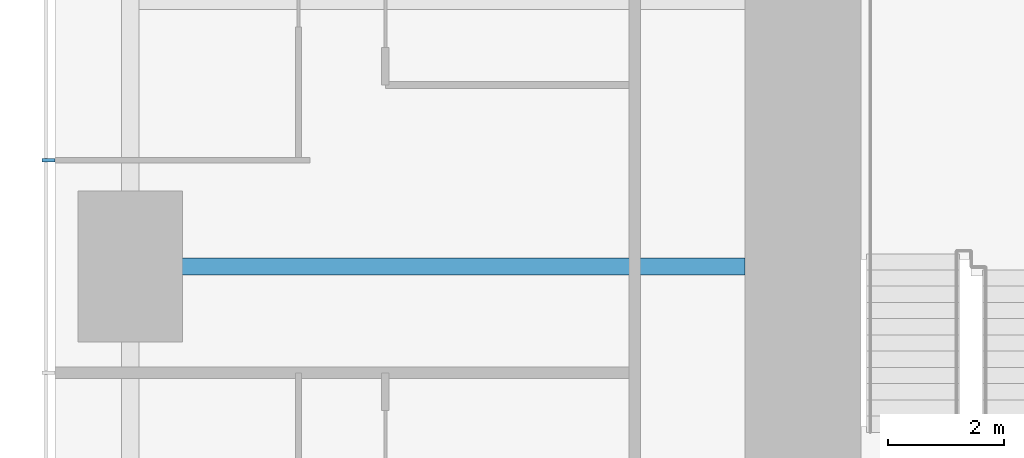
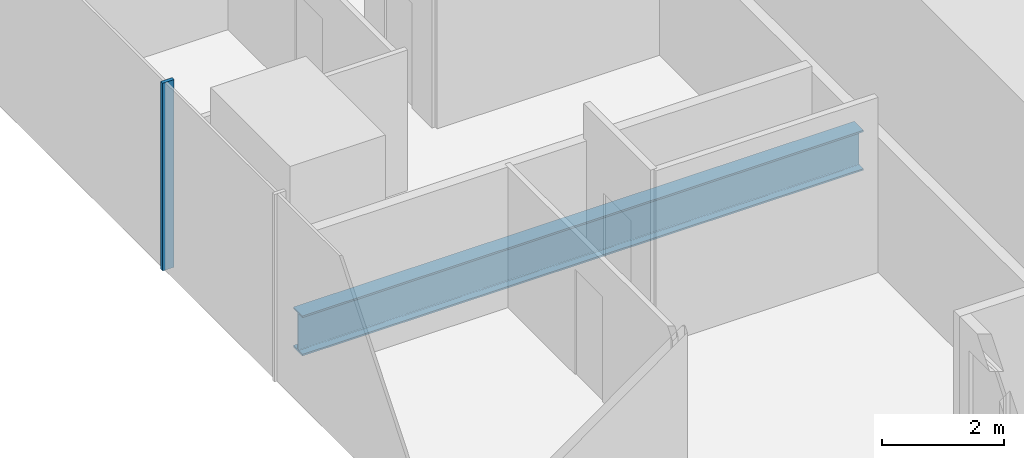
# One storey, part 3 of 13: 1 beam, 1 member, 1 element without a shape of its own.
"""IFC4 building model written with IfcOpenShell, lengths in metres."""

import ifcopenshell
import ifcopenshell.guid

model = None  # the IFC model being written
_history = None  # IfcOwnerHistory: only IFC2X3 demands one
_inside = {}  # id of a spatial element -> (the spatial element, [elements in it])
_under = {}  # id of a project, library or spatial element -> (it, [spatial elements below it])
_declared = {}  # id of a project -> (the project, [libraries it declares])
_typed = {}  # id of a type object -> (the type object, [elements of that type])
_made_of = {}  # id of a material, layer set ... -> (it, [elements and type objects made of it])


def new_model(schema):
    """Start an empty IFC model of exactly this schema.

    Asked for "IFC4X3", IfcOpenShell would pick the latest addendum, in which some entities
    have other attributes; the version numbers below select the first issue.
    IFC2X3 requires an IfcOwnerHistory on every rooted entity: one is made here for all.
    """
    global model, _history
    if schema == "IFC4X3":
        model = ifcopenshell.file(schema_version=(4, 3, 0, 0))
    else:
        model = ifcopenshell.file(schema=schema)
    _inside.clear()
    _under.clear()
    _declared.clear()
    _typed.clear()
    _made_of.clear()
    _history = None
    if model.schema == "IFC2X3":
        org = make("IfcOrganization", Name="unknown")
        user = make(
            "IfcPersonAndOrganization",
            ThePerson=make("IfcPerson", FamilyName="unknown"),
            TheOrganization=org,
        )
        app = make(
            "IfcApplication",
            ApplicationDeveloper=org,
            Version="unknown",
            ApplicationFullName="unknown",
            ApplicationIdentifier="unknown",
        )
        _history = make(
            "IfcOwnerHistory",
            OwningUser=user,
            OwningApplication=app,
            ChangeAction="ADDED",
            CreationDate=0,
        )
    return model


def make(cls, **values):
    """One entity of the class cls with the attributes given. An attribute that is None is left unset."""
    return model.create_entity(
        cls, **{name: value for name, value in values.items() if value is not None}
    )


def rooted(cls, **values):
    """An entity with a GlobalId (a new one), such as an element, a storey or a relation."""
    return make(cls, GlobalId=ifcopenshell.guid.new(), OwnerHistory=_history, **values)


def si_unit(unit_type, name, prefix=None):
    """IfcSIUnit, for example si_unit("LENGTHUNIT", "METRE", prefix="MILLI")."""
    return make("IfcSIUnit", UnitType=unit_type, Prefix=prefix, Name=name)


def assignment(units):
    """IfcUnitAssignment: the units of a project."""
    return None if units is None else make("IfcUnitAssignment", Units=units)


def point(xyz):
    """IfcCartesianPoint."""
    return None if xyz is None else make("IfcCartesianPoint", Coordinates=xyz)


def direction(xyz):
    """IfcDirection."""
    return None if xyz is None else make("IfcDirection", DirectionRatios=xyz)


def frame(location, z_axis=None, x_axis=None):
    """IfcAxis2Placement3D, a coordinate frame: its origin and axes. An axis left out is left unset."""
    return make(
        "IfcAxis2Placement3D",
        Location=point(location),
        Axis=direction(z_axis),
        RefDirection=direction(x_axis),
    )


def frame_2d(location, x_axis=None):
    """IfcAxis2Placement2D, a coordinate frame in the plane: its origin and x axis."""
    return make(
        "IfcAxis2Placement2D", Location=point(location), RefDirection=direction(x_axis)
    )


def origin():
    """The frame at (0, 0, 0) with its axes left unset."""
    return frame((0.0, 0.0, 0.0))


def origin_2d():
    """The frame at (0, 0) in the plane with its x axis left unset."""
    return frame_2d((0.0, 0.0))


def place(relative_to, where):
    """IfcLocalPlacement: puts the frame where relative to a parent placement (None: the world)."""
    return make(
        "IfcLocalPlacement", PlacementRelTo=relative_to, RelativePlacement=where
    )


def context(
    kind, dimensions, precision=None, world=None, true_north=None, identifier=None
):
    """IfcGeometricRepresentationContext, for example the 3D "Model" context."""
    return make(
        "IfcGeometricRepresentationContext",
        ContextIdentifier=identifier,
        ContextType=kind,
        CoordinateSpaceDimension=dimensions,
        Precision=precision,
        WorldCoordinateSystem=world,
        TrueNorth=true_north,
    )


def subcontext(parent, identifier, kind, view, scale=None):
    """IfcGeometricRepresentationSubContext, for example "Body" below "Model"."""
    return make(
        "IfcGeometricRepresentationSubContext",
        ContextIdentifier=identifier,
        ContextType=kind,
        ParentContext=parent,
        TargetScale=scale,
        TargetView=view,
    )


def project(units=None, contexts=None):
    """IfcProject with its units and contexts."""
    return rooted(
        "IfcProject",
        Name="project",
        RepresentationContexts=contexts,
        UnitsInContext=assignment(units),
    )


def spatial(cls, under=None, at=None, **own):
    """A site, building, storey or space (cls), placed at a placement, below another one or the project."""
    s = rooted(cls, ObjectPlacement=at, **own)
    if under is not None:
        _under.setdefault(under.id(), (under, []))[1].append(s)
    return s


def profile(cls, at=None, kind="AREA", **sizes):
    """A parametric profile (cls). Its sizes go by their IFC names, for example OverallWidth=200.0."""
    return make(cls, ProfileType=kind, Position=at, **sizes)


def rectangle(**sizes):
    """IfcRectangleProfileDef."""
    return profile("IfcRectangleProfileDef", **sizes)


def i_section(**sizes):
    """IfcIShapeProfileDef."""
    return profile("IfcIShapeProfileDef", **sizes)


def extrude(swept, where, along, depth):
    """IfcExtrudedAreaSolid: the profile swept, set in the frame where, extruded along a direction by depth."""
    return make(
        "IfcExtrudedAreaSolid",
        SweptArea=swept,
        Position=where,
        ExtrudedDirection=direction(along),
        Depth=depth,
    )


def shape(context_of_items, identifier, shape_type, items):
    """IfcShapeRepresentation: the items that make up one representation, for example the "Body"."""
    return make(
        "IfcShapeRepresentation",
        ContextOfItems=context_of_items,
        RepresentationIdentifier=identifier,
        RepresentationType=shape_type,
        Items=items,
    )


def material(Name=None, Category=None):
    """IfcMaterial."""
    return make("IfcMaterial", Name=Name, Category=Category)


def material_profile(
    of_material, cross_section, Name=None, Category=None, Priority=None
):
    """IfcMaterialProfile: a cross section and its material."""
    return make(
        "IfcMaterialProfile",
        Name=Name,
        Material=of_material,
        Profile=cross_section,
        Priority=Priority,
        Category=Category,
    )


def profile_set(profiles, Name=None, composite=None):
    """IfcMaterialProfileSet."""
    return make(
        "IfcMaterialProfileSet",
        Name=Name,
        MaterialProfiles=profiles,
        CompositeProfile=composite,
    )


def made_of(thing, what):
    """Note that an element or type object is made of a material, layer set ...; save() writes the relation."""
    if what is not None:
        _made_of.setdefault(what.id(), (what, []))[1].append(thing)
    return thing


def type_object(cls, material=None, **own):
    """A type object (cls), such as IfcWallType, which elements share."""
    return made_of(rooted(cls, **own), material)


def element(
    cls,
    number,
    at=None,
    inside=None,
    cuts=None,
    type_object=None,
    material=None,
    context=None,
    identifier="Body",
    shape_type=None,
    held_by="IfcProductDefinitionShape",
    body=None,
    shapes=None,
    **own,
):
    """One element of the class cls, such as IfcWall. Its Tag is "e" and its number.

    at: its placement. inside: the storey or other place that contains it. cuts: it is an
    opening in that element (IfcRelVoidsElement). A single representation is given by context,
    identifier, shape_type and body (its items); several are given by shapes. held_by: the class
    of the entity that holds the representations. save() writes the other relations.
    """
    e = rooted(cls, Tag="e%d" % number, ObjectPlacement=at, **own)
    if body is not None:
        shapes = [shape(context, identifier, shape_type, body)]
    if shapes is not None:
        e.Representation = make(held_by, Representations=shapes)
    if inside is not None:
        _inside.setdefault(inside.id(), (inside, []))[1].append(e)
    if cuts is not None:
        rooted(
            "IfcRelVoidsElement", RelatingBuildingElement=cuts, RelatedOpeningElement=e
        )
    if type_object is not None:
        _typed.setdefault(type_object.id(), (type_object, []))[1].append(e)
    return made_of(e, material)


def aggregate(whole, parts):
    """IfcRelAggregates: a whole, such as a stair, and the parts it consists of."""
    return rooted("IfcRelAggregates", RelatingObject=whole, RelatedObjects=parts)


def save(model, path):
    """Write the relations noted so far, then the file.

    IfcRelAggregates (storeys below a building ...), IfcRelContainedInSpatialStructure (elements
    in a storey), IfcRelDefinesByType, IfcRelAssociatesMaterial and IfcRelDeclares: one each for
    every whole, place, type object, material and project.
    """
    for whole, parts in _under.values():
        aggregate(whole, parts)
    for where, things in _inside.values():
        rooted(
            "IfcRelContainedInSpatialStructure",
            RelatedElements=things,
            RelatingStructure=where,
        )
    for kind, things in _typed.values():
        rooted("IfcRelDefinesByType", RelatedObjects=things, RelatingType=kind)
    for what, things in _made_of.values():
        rooted("IfcRelAssociatesMaterial", RelatedObjects=things, RelatingMaterial=what)
    for by, libraries in _declared.values():
        rooted("IfcRelDeclares", RelatingContext=by, RelatedDefinitions=libraries)
    model.write(path)


model = new_model("IFC4")

# Units and contexts
model_context = context("Model", 3, precision=1e-05, world=origin(), true_north=direction((0.0, 1.0)))
body_context = subcontext(model_context, "Body", "Model", "MODEL_VIEW")
ifc_project = project(units=[si_unit("LENGTHUNIT", "METRE"), si_unit("AREAUNIT", "SQUARE_METRE"), si_unit("VOLUMEUNIT", "CUBIC_METRE"), si_unit("PLANEANGLEUNIT", "RADIAN"), si_unit("MASSUNIT", "GRAM", prefix="KILO")], contexts=[model_context])

# Site, building, storey
site_placement = place(None, origin())
site = spatial("IfcSite", under=ifc_project, at=site_placement, CompositionType="ELEMENT")
building_placement = place(site_placement, origin())
building = spatial("IfcBuilding", under=site, at=building_placement, Name="Khuree Lantern Residences", CompositionType="ELEMENT")
storey_placement = place(building_placement, frame((0.0, 0.0, 159.75)))
storey = spatial("IfcBuildingStorey", under=building, at=storey_placement, Name="L40", CompositionType="ELEMENT", Elevation=159.75)

# Beam
ifc_material_1 = material(Name="Steel S355", Category="steel")
ifc_material_profile_1 = material_profile(ifc_material_1, i_section(OverallWidth=0.300048828125, OverallDepth=0.800048828125, WebThickness=0.017578125, FlangeThickness=0.032958984375, FilletRadius=0.030029296875, at=origin_2d()), Name="HE 800 B")
ifc_profile_set_1 = profile_set([ifc_material_profile_1], Name="Steel S355")
beam_type = type_object("IfcBeamType", Name="G-24 GIRDER HE 800 B", PredefinedType="BEAM", material=ifc_profile_set_1)
beam_placement = place(storey_placement, frame((-27.10009765625, 0.0, -0.64990234375), z_axis=(1.0, 0.0, 0.0), x_axis=(0.0, 1.0, 0.0)))
element("IfcBeam", 1, at=beam_placement, inside=storey, type_object=beam_type, Name="Girder W3", PredefinedType="BEAM", context=body_context, shape_type="SweptSolid", body=[
    extrude(i_section(OverallWidth=0.300048828125, OverallDepth=0.800048828125, WebThickness=0.017578125, FlangeThickness=0.032958984375, FilletRadius=0.030029296875, at=origin_2d()), origin(), (0.0, 0.0, 1.0), 10.60009765625),
])

# Curtain wall, member
ifc_material_2 = material(Name="Bronze anodised aluminium", Category="aluminium")
curtain_wall_type = type_object("IfcCurtainWallType", Name="CW-T1 TOWER FACE CURTAIN WALL", PredefinedType="USERDEFINED", material=ifc_material_2)
curtain_wall_placement = place(storey_placement, origin())
curtain_wall = element("IfcCurtainWall", 2, at=curtain_wall_placement, inside=storey, type_object=curtain_wall_type, Name="L40 WEST FACE CURTAIN WALL", ObjectType="Stick-built curtain wall", PredefinedType="USERDEFINED")
ifc_material_profile_2 = material_profile(ifc_material_2, rectangle(XDim=0.06494140625, YDim=0.219970703125, at=origin_2d()), Name="M1 65X220")
ifc_profile_set_2 = profile_set([ifc_material_profile_2], Name="Bronze anodised aluminium")
member_type = type_object("IfcMemberType", Name="M1 BRONZE MULLION TOWER 65X220", PredefinedType="MULLION", material=ifc_profile_set_2)
member_placement = place(storey_placement, frame((-28.510009765625, 1.83203125, 0.0), z_axis=(0.0, 0.0, 1.0), x_axis=(0.0, -1.0, 0.0)))
member = element("IfcMember", 3, at=member_placement, type_object=member_type, Name="L40 WEST FACE MULLION 37", PredefinedType="MULLION", context=body_context, shape_type="SweptSolid", body=[
    extrude(rectangle(XDim=0.06494140625, YDim=0.219970703125, at=origin_2d()), origin(), (0.0, 0.0, 1.0), 3.75),
])
aggregate(curtain_wall, [member])

save(model, "model.ifc")
